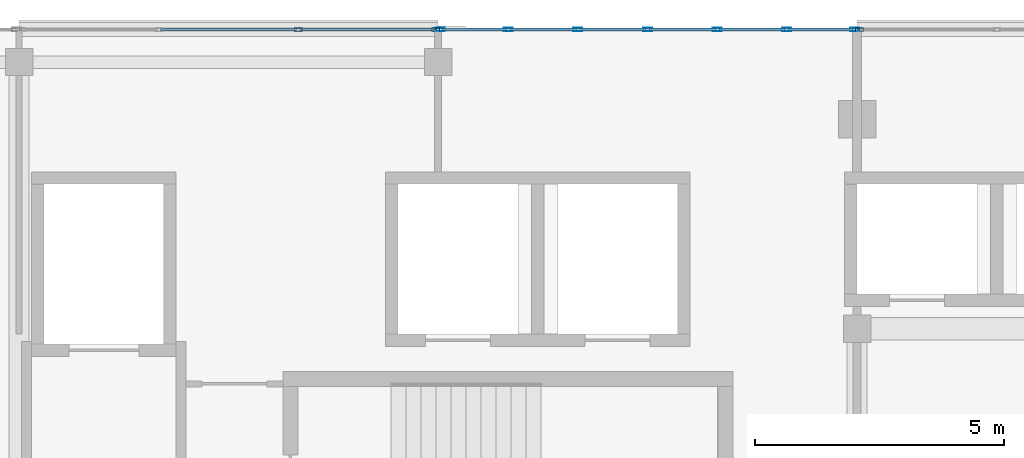
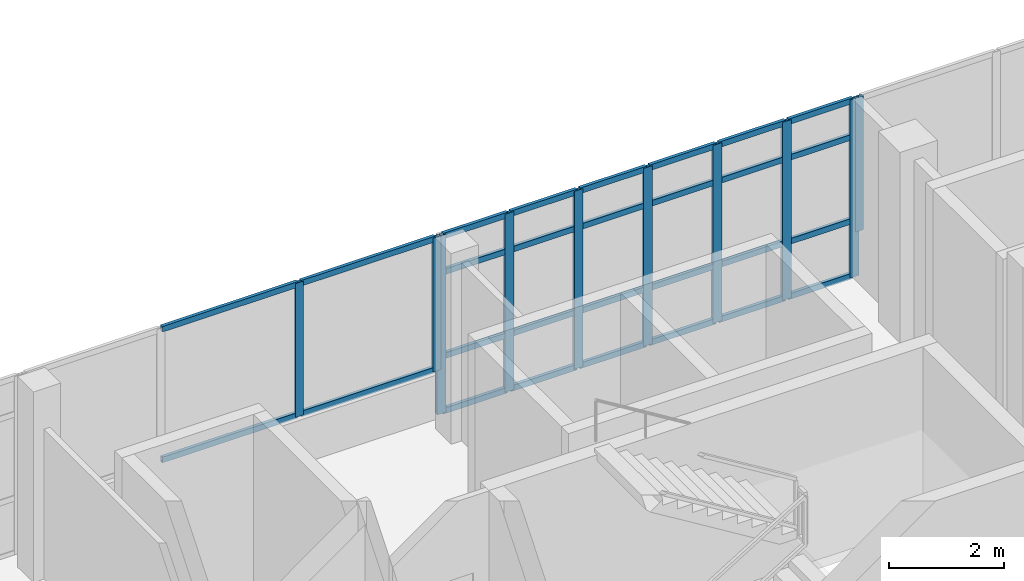
# One storey, part 34 of 66: 38 members, 3 elements without a shape of their own.
"""IFC4 building model written with IfcOpenShell, lengths in metres."""

from ifc_helpers import new_model, si_unit, direction, frame, origin, origin_2d, place, context, subcontext, project, spatial, hollow_rectangle, extrude, material, material_profile, profile_set, type_object, element, aggregate, save


model = new_model("IFC4")

# Units and contexts
model_context = context("Model", 3, precision=1e-05, world=origin(), true_north=direction((0.0, 1.0)))
body_context = subcontext(model_context, "Body", "Model", "MODEL_VIEW")
ifc_project = project(units=[si_unit("LENGTHUNIT", "METRE"), si_unit("AREAUNIT", "SQUARE_METRE"), si_unit("VOLUMEUNIT", "CUBIC_METRE"), si_unit("PLANEANGLEUNIT", "RADIAN"), si_unit("MASSUNIT", "GRAM", prefix="KILO")], contexts=[model_context])

# Site, building, storey
site_placement = place(None, origin())
site = spatial("IfcSite", under=ifc_project, at=site_placement, CompositionType="ELEMENT")
building_placement = place(site_placement, origin())
building = spatial("IfcBuilding", under=site, at=building_placement, Name="Selatvlak General Hospital", CompositionType="ELEMENT")
storey_placement = place(building_placement, frame((0.0, 0.0, 31.35009765625)))
storey = spatial("IfcBuildingStorey", under=building, at=storey_placement, Name="L07", CompositionType="ELEMENT", Elevation=31.35009765625)

# Curtain wall, members
ifc_material_1 = material(Name="Solar-control Low-E double glazing", Category="glass")
curtain_wall_type_1 = type_object("IfcCurtainWallType", Name="CW-CW-02", PredefinedType="USERDEFINED", material=ifc_material_1)
curtain_wall_1_placement = place(storey_placement, origin())
curtain_wall_1 = element("IfcCurtainWall", 1, at=curtain_wall_1_placement, inside=storey, type_object=curtain_wall_type_1, Name="Glazed facade curtain wall CW-L07-0652", ObjectType="UNITISED CURTAIN WALL", PredefinedType="USERDEFINED")
ifc_material_2 = material(Name="Dark anodised aluminium mullion", Category="aluminium")
ifc_material_profile_1 = material_profile(ifc_material_2, hollow_rectangle(XDim=0.06494140625, YDim=0.159912109375, WallThickness=0.00390625, at=origin_2d()), Name="AL-MUL 65x160x4")
ifc_profile_set_1 = profile_set([ifc_material_profile_1], Name="Dark anodised aluminium mullion")
member_type_1 = type_object("IfcMemberType", Name="CWM-01", PredefinedType="MULLION", material=ifc_profile_set_1)
member_1_placement = place(storey_placement, frame((103.993896484375, 120.0, 0.93994140625), z_axis=(0.0, 0.0, 1.0), x_axis=(0.0, 1.0, 0.0)))
member_1 = element("IfcMember", 2, at=member_1_placement, type_object=member_type_1, Name="CW-02 mullion 3", PredefinedType="MULLION", context=body_context, shape_type="SweptSolid", body=[
    extrude(hollow_rectangle(XDim=0.06494140625, YDim=0.159912109375, WallThickness=0.00390625, at=origin_2d()), origin(), (0.0, 0.0, 1.0), 2.844970703125),
])
member_2_placement = place(storey_placement, frame((106.75146484375, 120.0, 0.93994140625), z_axis=(0.0, 0.0, 1.0), x_axis=(0.0, 1.0, 0.0)))
member_2 = element("IfcMember", 3, at=member_2_placement, type_object=member_type_1, Name="CW-02 mullion 4", PredefinedType="MULLION", context=body_context, shape_type="SweptSolid", body=[
    extrude(hollow_rectangle(XDim=0.06494140625, YDim=0.159912109375, WallThickness=0.00390625, at=origin_2d()), origin(), (0.0, 0.0, 1.0), 2.844970703125),
])

# Curtain wall, member
curtain_wall_2_placement = place(storey_placement, origin())
curtain_wall_2 = element("IfcCurtainWall", 4, at=curtain_wall_2_placement, inside=storey, type_object=curtain_wall_type_1, Name="Glazed facade curtain wall CW-L07-0654", ObjectType="UNITISED CURTAIN WALL", PredefinedType="USERDEFINED")
member_3_placement = place(storey_placement, frame((115.24658203125, 120.0, 0.93994140625), z_axis=(0.0, 0.0, 1.0), x_axis=(0.0, 1.0, 0.0)))
member_3 = element("IfcMember", 5, at=member_3_placement, type_object=member_type_1, Name="CW-02 mullion 1", PredefinedType="MULLION", context=body_context, shape_type="SweptSolid", body=[
    extrude(hollow_rectangle(XDim=0.06494140625, YDim=0.159912109375, WallThickness=0.00390625, at=origin_2d()), origin(), (0.0, 0.0, 1.0), 2.844970703125),
])
aggregate(curtain_wall_2, [member_3])

# Curtain wall, members
curtain_wall_type_2 = type_object("IfcCurtainWallType", Name="CW-CW-04", PredefinedType="USERDEFINED", material=ifc_material_1)
curtain_wall_3_placement = place(storey_placement, origin())
curtain_wall_3 = element("IfcCurtainWall", 6, at=curtain_wall_3_placement, inside=storey, type_object=curtain_wall_type_2, Name="Glazed facade curtain wall CW-L07-0653", ObjectType="STICK GLAZING WALL", PredefinedType="USERDEFINED")
ifc_material_profile_2 = material_profile(ifc_material_2, hollow_rectangle(XDim=0.06494140625, YDim=0.179931640625, WallThickness=0.00439453125, at=origin_2d()), Name="AL-MUL 65x180x4.5")
ifc_profile_set_2 = profile_set([ifc_material_profile_2], Name="Dark anodised aluminium mullion")
member_type_2 = type_object("IfcMemberType", Name="CWM-02", PredefinedType="MULLION", material=ifc_profile_set_2)
member_4_placement = place(storey_placement, frame((106.846435546875, 120.0, 0.0), z_axis=(0.0, 0.0, 1.0), x_axis=(0.0, 1.0, 0.0)))
member_4 = element("IfcMember", 7, at=member_4_placement, type_object=member_type_2, Name="CW-04 mullion 1", PredefinedType="MULLION", context=body_context, shape_type="SweptSolid", body=[
    extrude(hollow_rectangle(XDim=0.06494140625, YDim=0.179931640625, WallThickness=0.00439453125, at=origin_2d()), origin(), (0.0, 0.0, 1.0), 3.784912109375),
])
member_5_placement = place(storey_placement, frame((108.208984375, 120.0, 0.0), z_axis=(0.0, 0.0, 1.0), x_axis=(0.0, 1.0, 0.0)))
member_5 = element("IfcMember", 8, at=member_5_placement, type_object=member_type_2, Name="CW-04 mullion 2", PredefinedType="MULLION", context=body_context, shape_type="SweptSolid", body=[
    extrude(hollow_rectangle(XDim=0.06494140625, YDim=0.179931640625, WallThickness=0.00439453125, at=origin_2d()), origin(), (0.0, 0.0, 1.0), 3.784912109375),
])
member_6_placement = place(storey_placement, frame((109.60400390625, 120.0, 0.0), z_axis=(0.0, 0.0, 1.0), x_axis=(0.0, 1.0, 0.0)))
member_6 = element("IfcMember", 9, at=member_6_placement, type_object=member_type_2, Name="CW-04 mullion 3", PredefinedType="MULLION", context=body_context, shape_type="SweptSolid", body=[
    extrude(hollow_rectangle(XDim=0.06494140625, YDim=0.179931640625, WallThickness=0.00439453125, at=origin_2d()), origin(), (0.0, 0.0, 1.0), 3.784912109375),
])
member_7_placement = place(storey_placement, frame((110.9990234375, 120.0, 0.0), z_axis=(0.0, 0.0, 1.0), x_axis=(0.0, 1.0, 0.0)))
member_7 = element("IfcMember", 10, at=member_7_placement, type_object=member_type_2, Name="CW-04 mullion 4", PredefinedType="MULLION", context=body_context, shape_type="SweptSolid", body=[
    extrude(hollow_rectangle(XDim=0.06494140625, YDim=0.179931640625, WallThickness=0.00439453125, at=origin_2d()), origin(), (0.0, 0.0, 1.0), 3.784912109375),
])
member_8_placement = place(storey_placement, frame((112.39404296875, 120.0, 0.0), z_axis=(0.0, 0.0, 1.0), x_axis=(0.0, 1.0, 0.0)))
member_8 = element("IfcMember", 11, at=member_8_placement, type_object=member_type_2, Name="CW-04 mullion 5", PredefinedType="MULLION", context=body_context, shape_type="SweptSolid", body=[
    extrude(hollow_rectangle(XDim=0.06494140625, YDim=0.179931640625, WallThickness=0.00439453125, at=origin_2d()), origin(), (0.0, 0.0, 1.0), 3.784912109375),
])
member_9_placement = place(storey_placement, frame((113.7890625, 120.0, 0.0), z_axis=(0.0, 0.0, 1.0), x_axis=(0.0, 1.0, 0.0)))
member_9 = element("IfcMember", 12, at=member_9_placement, type_object=member_type_2, Name="CW-04 mullion 6", PredefinedType="MULLION", context=body_context, shape_type="SweptSolid", body=[
    extrude(hollow_rectangle(XDim=0.06494140625, YDim=0.179931640625, WallThickness=0.00439453125, at=origin_2d()), origin(), (0.0, 0.0, 1.0), 3.784912109375),
])
member_10_placement = place(storey_placement, frame((115.151611328125, 120.0, 0.0), z_axis=(0.0, 0.0, 1.0), x_axis=(0.0, 1.0, 0.0)))
member_10 = element("IfcMember", 13, at=member_10_placement, type_object=member_type_2, Name="CW-04 mullion 7", PredefinedType="MULLION", context=body_context, shape_type="SweptSolid", body=[
    extrude(hollow_rectangle(XDim=0.06494140625, YDim=0.179931640625, WallThickness=0.00439453125, at=origin_2d()), origin(), (0.0, 0.0, 1.0), 3.784912109375),
])

# Member
ifc_material_profile_3 = material_profile(ifc_material_2, hollow_rectangle(XDim=0.06494140625, YDim=0.1201171875, WallThickness=0.00390625, at=origin_2d()), Name="AL-TRN 65x120x4")
ifc_profile_set_3 = profile_set([ifc_material_profile_3], Name="Dark anodised aluminium mullion")
member_type_3 = type_object("IfcMemberType", Name="CWT-01", PredefinedType="USERDEFINED", material=ifc_profile_set_3)
member_11_placement = place(storey_placement, frame((101.236572265625, 120.0, 0.972412109375), z_axis=(1.0, 0.0, 0.0), x_axis=(0.0, 1.0, 0.0)))
member_11 = element("IfcMember", 14, at=member_11_placement, type_object=member_type_3, Name="CW-02 transom 2.1", ObjectType="TRANSOM", PredefinedType="USERDEFINED", context=body_context, shape_type="SweptSolid", body=[
    extrude(hollow_rectangle(XDim=0.06494140625, YDim=0.1201171875, WallThickness=0.00390625, at=origin_2d()), origin(), (0.0, 0.0, 1.0), 2.724853515625),
])

member_12_placement = place(storey_placement, frame((101.236572265625, 120.0, 3.75244140625), z_axis=(1.0, 0.0, 0.0), x_axis=(0.0, 1.0, 0.0)))
member_12 = element("IfcMember", 15, at=member_12_placement, type_object=member_type_3, Name="CW-02 transom 2.2", ObjectType="TRANSOM", PredefinedType="USERDEFINED", context=body_context, shape_type="SweptSolid", body=[
    extrude(hollow_rectangle(XDim=0.06494140625, YDim=0.1201171875, WallThickness=0.00390625, at=origin_2d()), origin(), (0.0, 0.0, 1.0), 2.724853515625),
])

member_13_placement = place(storey_placement, frame((104.026611328125, 120.0, 0.972412109375), z_axis=(1.0, 0.0, 0.0), x_axis=(0.0, 1.0, 0.0)))
member_13 = element("IfcMember", 16, at=member_13_placement, type_object=member_type_3, Name="CW-02 transom 3.1", ObjectType="TRANSOM", PredefinedType="USERDEFINED", context=body_context, shape_type="SweptSolid", body=[
    extrude(hollow_rectangle(XDim=0.06494140625, YDim=0.1201171875, WallThickness=0.00390625, at=origin_2d()), origin(), (0.0, 0.0, 1.0), 2.6923828125),
])

member_14_placement = place(storey_placement, frame((104.026611328125, 120.0, 3.75244140625), z_axis=(1.0, 0.0, 0.0), x_axis=(0.0, 1.0, 0.0)))
member_14 = element("IfcMember", 17, at=member_14_placement, type_object=member_type_3, Name="CW-02 transom 3.2", ObjectType="TRANSOM", PredefinedType="USERDEFINED", context=body_context, shape_type="SweptSolid", body=[
    extrude(hollow_rectangle(XDim=0.06494140625, YDim=0.1201171875, WallThickness=0.00390625, at=origin_2d()), origin(), (0.0, 0.0, 1.0), 2.6923828125),
])

aggregate(curtain_wall_1, [member_1, member_2, member_11, member_12, member_13, member_14])

member_15_placement = place(storey_placement, frame((106.87890625, 120.0, 0.032470703125), z_axis=(1.0, 0.0, 0.0), x_axis=(0.0, 1.0, 0.0)))
member_15 = element("IfcMember", 18, at=member_15_placement, type_object=member_type_3, Name="CW-04 transom 1.1", ObjectType="TRANSOM", PredefinedType="USERDEFINED", context=body_context, shape_type="SweptSolid", body=[
    extrude(hollow_rectangle(XDim=0.06494140625, YDim=0.1201171875, WallThickness=0.00390625, at=origin_2d()), origin(), (0.0, 0.0, 1.0), 1.297607421875),
])

member_16_placement = place(storey_placement, frame((106.87890625, 120.0, 1.199951171875), z_axis=(1.0, 0.0, 0.0), x_axis=(0.0, 1.0, 0.0)))
member_16 = element("IfcMember", 19, at=member_16_placement, type_object=member_type_3, Name="CW-04 transom 1.2", ObjectType="TRANSOM", PredefinedType="USERDEFINED", context=body_context, shape_type="SweptSolid", body=[
    extrude(hollow_rectangle(XDim=0.06494140625, YDim=0.1201171875, WallThickness=0.00390625, at=origin_2d()), origin(), (0.0, 0.0, 1.0), 1.297607421875),
])

member_17_placement = place(storey_placement, frame((106.87890625, 120.0, 2.98486328125), z_axis=(1.0, 0.0, 0.0), x_axis=(0.0, 1.0, 0.0)))
member_17 = element("IfcMember", 20, at=member_17_placement, type_object=member_type_3, Name="CW-04 transom 1.3", ObjectType="TRANSOM", PredefinedType="USERDEFINED", context=body_context, shape_type="SweptSolid", body=[
    extrude(hollow_rectangle(XDim=0.06494140625, YDim=0.1201171875, WallThickness=0.00390625, at=origin_2d()), origin(), (0.0, 0.0, 1.0), 1.297607421875),
])

member_18_placement = place(storey_placement, frame((106.87890625, 120.0, 3.75244140625), z_axis=(1.0, 0.0, 0.0), x_axis=(0.0, 1.0, 0.0)))
member_18 = element("IfcMember", 21, at=member_18_placement, type_object=member_type_3, Name="CW-04 transom 1.4", ObjectType="TRANSOM", PredefinedType="USERDEFINED", context=body_context, shape_type="SweptSolid", body=[
    extrude(hollow_rectangle(XDim=0.06494140625, YDim=0.1201171875, WallThickness=0.00390625, at=origin_2d()), origin(), (0.0, 0.0, 1.0), 1.297607421875),
])

member_19_placement = place(storey_placement, frame((108.241455078125, 120.0, 0.032470703125), z_axis=(1.0, 0.0, 0.0), x_axis=(0.0, 1.0, 0.0)))
member_19 = element("IfcMember", 22, at=member_19_placement, type_object=member_type_3, Name="CW-04 transom 2.1", ObjectType="TRANSOM", PredefinedType="USERDEFINED", context=body_context, shape_type="SweptSolid", body=[
    extrude(hollow_rectangle(XDim=0.06494140625, YDim=0.1201171875, WallThickness=0.00390625, at=origin_2d()), origin(), (0.0, 0.0, 1.0), 1.330078125),
])

member_20_placement = place(storey_placement, frame((108.241455078125, 120.0, 1.199951171875), z_axis=(1.0, 0.0, 0.0), x_axis=(0.0, 1.0, 0.0)))
member_20 = element("IfcMember", 23, at=member_20_placement, type_object=member_type_3, Name="CW-04 transom 2.2", ObjectType="TRANSOM", PredefinedType="USERDEFINED", context=body_context, shape_type="SweptSolid", body=[
    extrude(hollow_rectangle(XDim=0.06494140625, YDim=0.1201171875, WallThickness=0.00390625, at=origin_2d()), origin(), (0.0, 0.0, 1.0), 1.330078125),
])

member_21_placement = place(storey_placement, frame((108.241455078125, 120.0, 2.98486328125), z_axis=(1.0, 0.0, 0.0), x_axis=(0.0, 1.0, 0.0)))
member_21 = element("IfcMember", 24, at=member_21_placement, type_object=member_type_3, Name="CW-04 transom 2.3", ObjectType="TRANSOM", PredefinedType="USERDEFINED", context=body_context, shape_type="SweptSolid", body=[
    extrude(hollow_rectangle(XDim=0.06494140625, YDim=0.1201171875, WallThickness=0.00390625, at=origin_2d()), origin(), (0.0, 0.0, 1.0), 1.330078125),
])

member_22_placement = place(storey_placement, frame((108.241455078125, 120.0, 3.75244140625), z_axis=(1.0, 0.0, 0.0), x_axis=(0.0, 1.0, 0.0)))
member_22 = element("IfcMember", 25, at=member_22_placement, type_object=member_type_3, Name="CW-04 transom 2.4", ObjectType="TRANSOM", PredefinedType="USERDEFINED", context=body_context, shape_type="SweptSolid", body=[
    extrude(hollow_rectangle(XDim=0.06494140625, YDim=0.1201171875, WallThickness=0.00390625, at=origin_2d()), origin(), (0.0, 0.0, 1.0), 1.330078125),
])

member_23_placement = place(storey_placement, frame((109.636474609375, 120.0, 0.032470703125), z_axis=(1.0, 0.0, 0.0), x_axis=(0.0, 1.0, 0.0)))
member_23 = element("IfcMember", 26, at=member_23_placement, type_object=member_type_3, Name="CW-04 transom 3.1", ObjectType="TRANSOM", PredefinedType="USERDEFINED", context=body_context, shape_type="SweptSolid", body=[
    extrude(hollow_rectangle(XDim=0.06494140625, YDim=0.1201171875, WallThickness=0.00390625, at=origin_2d()), origin(), (0.0, 0.0, 1.0), 1.330078125),
])

member_24_placement = place(storey_placement, frame((109.636474609375, 120.0, 1.199951171875), z_axis=(1.0, 0.0, 0.0), x_axis=(0.0, 1.0, 0.0)))
member_24 = element("IfcMember", 27, at=member_24_placement, type_object=member_type_3, Name="CW-04 transom 3.2", ObjectType="TRANSOM", PredefinedType="USERDEFINED", context=body_context, shape_type="SweptSolid", body=[
    extrude(hollow_rectangle(XDim=0.06494140625, YDim=0.1201171875, WallThickness=0.00390625, at=origin_2d()), origin(), (0.0, 0.0, 1.0), 1.330078125),
])

member_25_placement = place(storey_placement, frame((109.636474609375, 120.0, 2.98486328125), z_axis=(1.0, 0.0, 0.0), x_axis=(0.0, 1.0, 0.0)))
member_25 = element("IfcMember", 28, at=member_25_placement, type_object=member_type_3, Name="CW-04 transom 3.3", ObjectType="TRANSOM", PredefinedType="USERDEFINED", context=body_context, shape_type="SweptSolid", body=[
    extrude(hollow_rectangle(XDim=0.06494140625, YDim=0.1201171875, WallThickness=0.00390625, at=origin_2d()), origin(), (0.0, 0.0, 1.0), 1.330078125),
])

member_26_placement = place(storey_placement, frame((109.636474609375, 120.0, 3.75244140625), z_axis=(1.0, 0.0, 0.0), x_axis=(0.0, 1.0, 0.0)))
member_26 = element("IfcMember", 29, at=member_26_placement, type_object=member_type_3, Name="CW-04 transom 3.4", ObjectType="TRANSOM", PredefinedType="USERDEFINED", context=body_context, shape_type="SweptSolid", body=[
    extrude(hollow_rectangle(XDim=0.06494140625, YDim=0.1201171875, WallThickness=0.00390625, at=origin_2d()), origin(), (0.0, 0.0, 1.0), 1.330078125),
])

member_27_placement = place(storey_placement, frame((111.031494140625, 120.0, 0.032470703125), z_axis=(1.0, 0.0, 0.0), x_axis=(0.0, 1.0, 0.0)))
member_27 = element("IfcMember", 30, at=member_27_placement, type_object=member_type_3, Name="CW-04 transom 4.1", ObjectType="TRANSOM", PredefinedType="USERDEFINED", context=body_context, shape_type="SweptSolid", body=[
    extrude(hollow_rectangle(XDim=0.06494140625, YDim=0.1201171875, WallThickness=0.00390625, at=origin_2d()), origin(), (0.0, 0.0, 1.0), 1.330078125),
])

member_28_placement = place(storey_placement, frame((111.031494140625, 120.0, 1.199951171875), z_axis=(1.0, 0.0, 0.0), x_axis=(0.0, 1.0, 0.0)))
member_28 = element("IfcMember", 31, at=member_28_placement, type_object=member_type_3, Name="CW-04 transom 4.2", ObjectType="TRANSOM", PredefinedType="USERDEFINED", context=body_context, shape_type="SweptSolid", body=[
    extrude(hollow_rectangle(XDim=0.06494140625, YDim=0.1201171875, WallThickness=0.00390625, at=origin_2d()), origin(), (0.0, 0.0, 1.0), 1.330078125),
])

member_29_placement = place(storey_placement, frame((111.031494140625, 120.0, 2.98486328125), z_axis=(1.0, 0.0, 0.0), x_axis=(0.0, 1.0, 0.0)))
member_29 = element("IfcMember", 32, at=member_29_placement, type_object=member_type_3, Name="CW-04 transom 4.3", ObjectType="TRANSOM", PredefinedType="USERDEFINED", context=body_context, shape_type="SweptSolid", body=[
    extrude(hollow_rectangle(XDim=0.06494140625, YDim=0.1201171875, WallThickness=0.00390625, at=origin_2d()), origin(), (0.0, 0.0, 1.0), 1.330078125),
])

member_30_placement = place(storey_placement, frame((111.031494140625, 120.0, 3.75244140625), z_axis=(1.0, 0.0, 0.0), x_axis=(0.0, 1.0, 0.0)))
member_30 = element("IfcMember", 33, at=member_30_placement, type_object=member_type_3, Name="CW-04 transom 4.4", ObjectType="TRANSOM", PredefinedType="USERDEFINED", context=body_context, shape_type="SweptSolid", body=[
    extrude(hollow_rectangle(XDim=0.06494140625, YDim=0.1201171875, WallThickness=0.00390625, at=origin_2d()), origin(), (0.0, 0.0, 1.0), 1.330078125),
])

member_31_placement = place(storey_placement, frame((112.426513671875, 120.0, 0.032470703125), z_axis=(1.0, 0.0, 0.0), x_axis=(0.0, 1.0, 0.0)))
member_31 = element("IfcMember", 34, at=member_31_placement, type_object=member_type_3, Name="CW-04 transom 5.1", ObjectType="TRANSOM", PredefinedType="USERDEFINED", context=body_context, shape_type="SweptSolid", body=[
    extrude(hollow_rectangle(XDim=0.06494140625, YDim=0.1201171875, WallThickness=0.00390625, at=origin_2d()), origin(), (0.0, 0.0, 1.0), 1.330078125),
])

member_32_placement = place(storey_placement, frame((112.426513671875, 120.0, 1.199951171875), z_axis=(1.0, 0.0, 0.0), x_axis=(0.0, 1.0, 0.0)))
member_32 = element("IfcMember", 35, at=member_32_placement, type_object=member_type_3, Name="CW-04 transom 5.2", ObjectType="TRANSOM", PredefinedType="USERDEFINED", context=body_context, shape_type="SweptSolid", body=[
    extrude(hollow_rectangle(XDim=0.06494140625, YDim=0.1201171875, WallThickness=0.00390625, at=origin_2d()), origin(), (0.0, 0.0, 1.0), 1.330078125),
])

member_33_placement = place(storey_placement, frame((112.426513671875, 120.0, 2.98486328125), z_axis=(1.0, 0.0, 0.0), x_axis=(0.0, 1.0, 0.0)))
member_33 = element("IfcMember", 36, at=member_33_placement, type_object=member_type_3, Name="CW-04 transom 5.3", ObjectType="TRANSOM", PredefinedType="USERDEFINED", context=body_context, shape_type="SweptSolid", body=[
    extrude(hollow_rectangle(XDim=0.06494140625, YDim=0.1201171875, WallThickness=0.00390625, at=origin_2d()), origin(), (0.0, 0.0, 1.0), 1.330078125),
])

member_34_placement = place(storey_placement, frame((112.426513671875, 120.0, 3.75244140625), z_axis=(1.0, 0.0, 0.0), x_axis=(0.0, 1.0, 0.0)))
member_34 = element("IfcMember", 37, at=member_34_placement, type_object=member_type_3, Name="CW-04 transom 5.4", ObjectType="TRANSOM", PredefinedType="USERDEFINED", context=body_context, shape_type="SweptSolid", body=[
    extrude(hollow_rectangle(XDim=0.06494140625, YDim=0.1201171875, WallThickness=0.00390625, at=origin_2d()), origin(), (0.0, 0.0, 1.0), 1.330078125),
])

member_35_placement = place(storey_placement, frame((113.821533203125, 120.0, 0.032470703125), z_axis=(1.0, 0.0, 0.0), x_axis=(0.0, 1.0, 0.0)))
member_35 = element("IfcMember", 38, at=member_35_placement, type_object=member_type_3, Name="CW-04 transom 6.1", ObjectType="TRANSOM", PredefinedType="USERDEFINED", context=body_context, shape_type="SweptSolid", body=[
    extrude(hollow_rectangle(XDim=0.06494140625, YDim=0.1201171875, WallThickness=0.00390625, at=origin_2d()), origin(), (0.0, 0.0, 1.0), 1.29736328125),
])

member_36_placement = place(storey_placement, frame((113.821533203125, 120.0, 1.199951171875), z_axis=(1.0, 0.0, 0.0), x_axis=(0.0, 1.0, 0.0)))
member_36 = element("IfcMember", 39, at=member_36_placement, type_object=member_type_3, Name="CW-04 transom 6.2", ObjectType="TRANSOM", PredefinedType="USERDEFINED", context=body_context, shape_type="SweptSolid", body=[
    extrude(hollow_rectangle(XDim=0.06494140625, YDim=0.1201171875, WallThickness=0.00390625, at=origin_2d()), origin(), (0.0, 0.0, 1.0), 1.29736328125),
])

member_37_placement = place(storey_placement, frame((113.821533203125, 120.0, 2.98486328125), z_axis=(1.0, 0.0, 0.0), x_axis=(0.0, 1.0, 0.0)))
member_37 = element("IfcMember", 40, at=member_37_placement, type_object=member_type_3, Name="CW-04 transom 6.3", ObjectType="TRANSOM", PredefinedType="USERDEFINED", context=body_context, shape_type="SweptSolid", body=[
    extrude(hollow_rectangle(XDim=0.06494140625, YDim=0.1201171875, WallThickness=0.00390625, at=origin_2d()), origin(), (0.0, 0.0, 1.0), 1.29736328125),
])

member_38_placement = place(storey_placement, frame((113.821533203125, 120.0, 3.75244140625), z_axis=(1.0, 0.0, 0.0), x_axis=(0.0, 1.0, 0.0)))
member_38 = element("IfcMember", 41, at=member_38_placement, type_object=member_type_3, Name="CW-04 transom 6.4", ObjectType="TRANSOM", PredefinedType="USERDEFINED", context=body_context, shape_type="SweptSolid", body=[
    extrude(hollow_rectangle(XDim=0.06494140625, YDim=0.1201171875, WallThickness=0.00390625, at=origin_2d()), origin(), (0.0, 0.0, 1.0), 1.29736328125),
])

aggregate(curtain_wall_3, [member_4, member_5, member_6, member_7, member_8, member_9, member_10, member_15, member_16, member_17, member_18, member_19, member_20, member_21, member_22, member_23, member_24, member_25, member_26, member_27, member_28, member_29, member_30, member_31, member_32, member_33, member_34, member_35, member_36, member_37, member_38])

save(model, "model.ifc")
